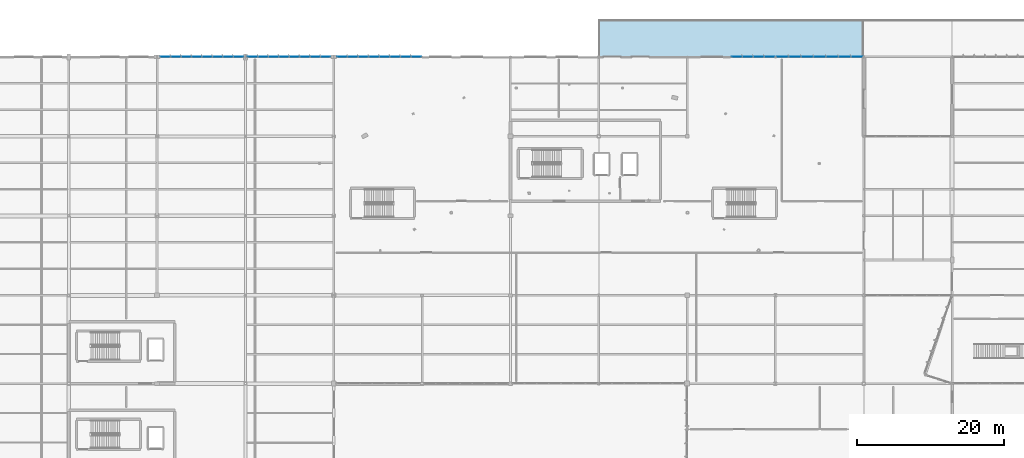
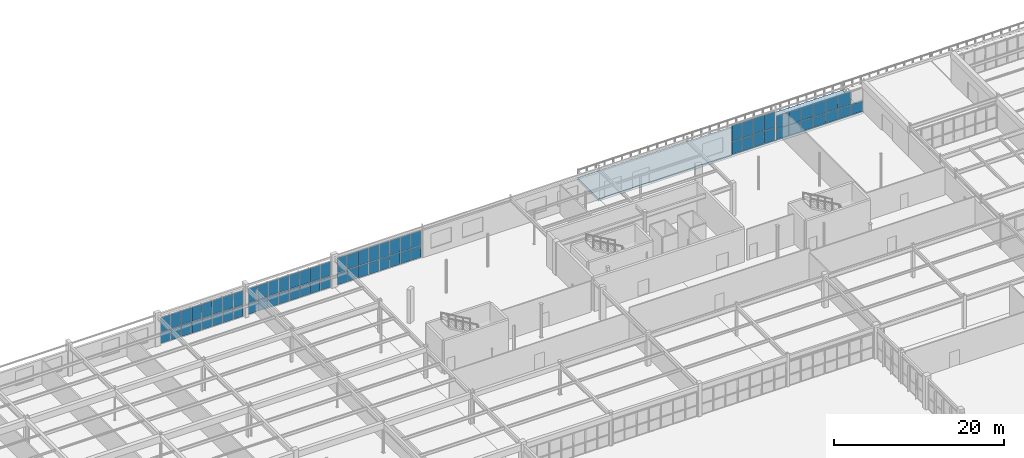
# One storey, part 128 of 199: 69 plates, 1 slab, 5 elements without a shape of their own.
"""IFC4 building model written with IfcOpenShell, lengths in metres."""

from ifc_helpers import new_model, si_unit, direction, frame, origin, origin_2d, place, context, subcontext, project, spatial, polyline, rectangle, outline, extrude, material, layer, layer_set, type_object, element, aggregate, save


model = new_model("IFC4")

# Units and contexts
model_context = context("Model", 3, precision=1e-05, world=origin(), true_north=direction((0.0, 1.0)))
body_context = subcontext(model_context, "Body", "Model", "MODEL_VIEW")
ifc_project = project(units=[si_unit("LENGTHUNIT", "METRE"), si_unit("AREAUNIT", "SQUARE_METRE"), si_unit("VOLUMEUNIT", "CUBIC_METRE"), si_unit("PLANEANGLEUNIT", "RADIAN"), si_unit("MASSUNIT", "GRAM", prefix="KILO")], contexts=[model_context])

# Site, building, storey
site_placement = place(None, origin())
site = spatial("IfcSite", under=ifc_project, at=site_placement, CompositionType="ELEMENT")
building_placement = place(site_placement, origin())
building = spatial("IfcBuilding", under=site, at=building_placement, Name="Tarnwether General Hospital", CompositionType="ELEMENT")
storey_placement = place(building_placement, origin())
storey = spatial("IfcBuildingStorey", under=building, at=storey_placement, Name="L00", CompositionType="ELEMENT", Elevation=0.0)

# Curtain wall, plates
ifc_material_1 = material(Name="Anodised aluminium", Category="aluminium")
ifc_layer_1 = layer(ifc_material_1, 0.159912109375)
ifc_layer_set_1 = layer_set([ifc_layer_1], Name="Anodised aluminium")
curtain_wall_type_1 = type_object("IfcCurtainWallType", Name="CW-12", PredefinedType="NOTDEFINED", material=ifc_layer_set_1)
curtain_wall_1_placement = place(storey_placement, origin())
curtain_wall_1 = element("IfcCurtainWall", 1, at=curtain_wall_1_placement, inside=storey, type_object=curtain_wall_type_1, Name="Curtain Wall CWG-L00-364_1260-0273", PredefinedType="NOTDEFINED")
ifc_material_2 = material(Name="Double glazed low-E glass", Category="glass")
ifc_layer_2 = layer(ifc_material_2, 0.028076171875)
ifc_layer_set_2 = layer_set([ifc_layer_2], Name="Double glazed low-E glass")
plate_type = type_object("IfcPlateType", Name="PT-CWP1", PredefinedType="CURTAIN_PANEL", material=ifc_layer_set_2)
plate_1_placement = place(storey_placement, frame((37.13134765625, 126.0, 0.06005859375), z_axis=(0.0, 0.0, 1.0), x_axis=(1.0, 0.0, 0.0)))
plate_1 = element("IfcPlate", 2, at=plate_1_placement, type_object=plate_type, Name="CW-12 panel 1.1", PredefinedType="CURTAIN_PANEL", context=body_context, shape_type="SweptSolid", body=[
    extrude(rectangle(XDim=1.32666015625, YDim=0.028076171875, at=origin_2d()), origin(), (0.0, 0.0, 1.0), 1.63037109375),
])
plate_2_placement = place(storey_placement, frame((37.13134765625, 126.0, 1.750244140625), z_axis=(0.0, 0.0, 1.0), x_axis=(1.0, 0.0, 0.0)))
plate_2 = element("IfcPlate", 3, at=plate_2_placement, type_object=plate_type, Name="CW-12 panel 1.2", PredefinedType="CURTAIN_PANEL", context=body_context, shape_type="SweptSolid", body=[
    extrude(rectangle(XDim=1.32666015625, YDim=0.028076171875, at=origin_2d()), origin(), (0.0, 0.0, 1.0), 2.0126953125),
])
plate_3_placement = place(storey_placement, frame((38.533203125, 126.0, 0.06005859375), z_axis=(0.0, 0.0, 1.0), x_axis=(1.0, 0.0, 0.0)))
plate_3 = element("IfcPlate", 4, at=plate_3_placement, type_object=plate_type, Name="CW-12 panel 2.1", PredefinedType="CURTAIN_PANEL", context=body_context, shape_type="SweptSolid", body=[
    extrude(rectangle(XDim=1.356689453125, YDim=0.028076171875, at=origin_2d()), origin(), (0.0, 0.0, 1.0), 1.63037109375),
])
plate_4_placement = place(storey_placement, frame((38.533203125, 126.0, 1.750244140625), z_axis=(0.0, 0.0, 1.0), x_axis=(1.0, 0.0, 0.0)))
plate_4 = element("IfcPlate", 5, at=plate_4_placement, type_object=plate_type, Name="CW-12 panel 2.2", PredefinedType="CURTAIN_PANEL", context=body_context, shape_type="SweptSolid", body=[
    extrude(rectangle(XDim=1.356689453125, YDim=0.028076171875, at=origin_2d()), origin(), (0.0, 0.0, 1.0), 2.0126953125),
])
plate_5_placement = place(storey_placement, frame((39.949951171875, 126.0, 0.06005859375), z_axis=(0.0, 0.0, 1.0), x_axis=(1.0, 0.0, 0.0)))
plate_5 = element("IfcPlate", 6, at=plate_5_placement, type_object=plate_type, Name="CW-12 panel 3.1", PredefinedType="CURTAIN_PANEL", context=body_context, shape_type="SweptSolid", body=[
    extrude(rectangle(XDim=1.356689453125, YDim=0.028076171875, at=origin_2d()), origin(), (0.0, 0.0, 1.0), 1.63037109375),
])
plate_6_placement = place(storey_placement, frame((39.949951171875, 126.0, 1.750244140625), z_axis=(0.0, 0.0, 1.0), x_axis=(1.0, 0.0, 0.0)))
plate_6 = element("IfcPlate", 7, at=plate_6_placement, type_object=plate_type, Name="CW-12 panel 3.2", PredefinedType="CURTAIN_PANEL", context=body_context, shape_type="SweptSolid", body=[
    extrude(rectangle(XDim=1.356689453125, YDim=0.028076171875, at=origin_2d()), origin(), (0.0, 0.0, 1.0), 2.0126953125),
])
plate_7_placement = place(storey_placement, frame((41.36669921875, 126.0, 0.06005859375), z_axis=(0.0, 0.0, 1.0), x_axis=(1.0, 0.0, 0.0)))
plate_7 = element("IfcPlate", 8, at=plate_7_placement, type_object=plate_type, Name="CW-12 panel 4.1", PredefinedType="CURTAIN_PANEL", context=body_context, shape_type="SweptSolid", body=[
    extrude(rectangle(XDim=1.356689453125, YDim=0.028076171875, at=origin_2d()), origin(), (0.0, 0.0, 1.0), 1.63037109375),
])
plate_8_placement = place(storey_placement, frame((41.36669921875, 126.0, 1.750244140625), z_axis=(0.0, 0.0, 1.0), x_axis=(1.0, 0.0, 0.0)))
plate_8 = element("IfcPlate", 9, at=plate_8_placement, type_object=plate_type, Name="CW-12 panel 4.2", PredefinedType="CURTAIN_PANEL", context=body_context, shape_type="SweptSolid", body=[
    extrude(rectangle(XDim=1.356689453125, YDim=0.028076171875, at=origin_2d()), origin(), (0.0, 0.0, 1.0), 2.0126953125),
])
plate_9_placement = place(storey_placement, frame((42.783447265625, 126.0, 0.06005859375), z_axis=(0.0, 0.0, 1.0), x_axis=(1.0, 0.0, 0.0)))
plate_9 = element("IfcPlate", 10, at=plate_9_placement, type_object=plate_type, Name="CW-12 panel 5.1", PredefinedType="CURTAIN_PANEL", context=body_context, shape_type="SweptSolid", body=[
    extrude(rectangle(XDim=1.356689453125, YDim=0.028076171875, at=origin_2d()), origin(), (0.0, 0.0, 1.0), 1.63037109375),
])
plate_10_placement = place(storey_placement, frame((42.783447265625, 126.0, 1.750244140625), z_axis=(0.0, 0.0, 1.0), x_axis=(1.0, 0.0, 0.0)))
plate_10 = element("IfcPlate", 11, at=plate_10_placement, type_object=plate_type, Name="CW-12 panel 5.2", PredefinedType="CURTAIN_PANEL", context=body_context, shape_type="SweptSolid", body=[
    extrude(rectangle(XDim=1.356689453125, YDim=0.028076171875, at=origin_2d()), origin(), (0.0, 0.0, 1.0), 2.0126953125),
])
plate_11_placement = place(storey_placement, frame((44.2001953125, 126.0, 0.06005859375), z_axis=(0.0, 0.0, 1.0), x_axis=(1.0, 0.0, 0.0)))
plate_11 = element("IfcPlate", 12, at=plate_11_placement, type_object=plate_type, Name="CW-12 panel 6.1", PredefinedType="CURTAIN_PANEL", context=body_context, shape_type="SweptSolid", body=[
    extrude(rectangle(XDim=1.356689453125, YDim=0.028076171875, at=origin_2d()), origin(), (0.0, 0.0, 1.0), 1.63037109375),
])
plate_12_placement = place(storey_placement, frame((44.2001953125, 126.0, 1.750244140625), z_axis=(0.0, 0.0, 1.0), x_axis=(1.0, 0.0, 0.0)))
plate_12 = element("IfcPlate", 13, at=plate_12_placement, type_object=plate_type, Name="CW-12 panel 6.2", PredefinedType="CURTAIN_PANEL", context=body_context, shape_type="SweptSolid", body=[
    extrude(rectangle(XDim=1.356689453125, YDim=0.028076171875, at=origin_2d()), origin(), (0.0, 0.0, 1.0), 2.0126953125),
])
plate_13_placement = place(storey_placement, frame((45.616943359375, 126.0, 0.06005859375), z_axis=(0.0, 0.0, 1.0), x_axis=(1.0, 0.0, 0.0)))
plate_13 = element("IfcPlate", 14, at=plate_13_placement, type_object=plate_type, Name="CW-12 panel 7.1", PredefinedType="CURTAIN_PANEL", context=body_context, shape_type="SweptSolid", body=[
    extrude(rectangle(XDim=1.356689453125, YDim=0.028076171875, at=origin_2d()), origin(), (0.0, 0.0, 1.0), 1.63037109375),
])
plate_14_placement = place(storey_placement, frame((45.616943359375, 126.0, 1.750244140625), z_axis=(0.0, 0.0, 1.0), x_axis=(1.0, 0.0, 0.0)))
plate_14 = element("IfcPlate", 15, at=plate_14_placement, type_object=plate_type, Name="CW-12 panel 7.2", PredefinedType="CURTAIN_PANEL", context=body_context, shape_type="SweptSolid", body=[
    extrude(rectangle(XDim=1.356689453125, YDim=0.028076171875, at=origin_2d()), origin(), (0.0, 0.0, 1.0), 2.0126953125),
])
plate_15_placement = place(storey_placement, frame((47.0185546875, 126.0, 0.06005859375), z_axis=(0.0, 0.0, 1.0), x_axis=(1.0, 0.0, 0.0)))
plate_15 = element("IfcPlate", 16, at=plate_15_placement, type_object=plate_type, Name="CW-12 panel 8.1", PredefinedType="CURTAIN_PANEL", context=body_context, shape_type="SweptSolid", body=[
    extrude(rectangle(XDim=1.32666015625, YDim=0.028076171875, at=origin_2d()), origin(), (0.0, 0.0, 1.0), 1.63037109375),
])
plate_16_placement = place(storey_placement, frame((47.0185546875, 126.0, 1.750244140625), z_axis=(0.0, 0.0, 1.0), x_axis=(1.0, 0.0, 0.0)))
plate_16 = element("IfcPlate", 17, at=plate_16_placement, type_object=plate_type, Name="CW-12 panel 8.2", PredefinedType="CURTAIN_PANEL", context=body_context, shape_type="SweptSolid", body=[
    extrude(rectangle(XDim=1.32666015625, YDim=0.028076171875, at=origin_2d()), origin(), (0.0, 0.0, 1.0), 2.0126953125),
])
aggregate(curtain_wall_1, [plate_1, plate_2, plate_3, plate_4, plate_5, plate_6, plate_7, plate_8, plate_9, plate_10, plate_11, plate_12, plate_13, plate_14, plate_15, plate_16])

curtain_wall_2_placement = place(storey_placement, origin())
curtain_wall_2 = element("IfcCurtainWall", 18, at=curtain_wall_2_placement, inside=storey, type_object=curtain_wall_type_1, Name="Curtain Wall CWG-L00-483_1260-0274", PredefinedType="NOTDEFINED")
plate_17_placement = place(storey_placement, frame((48.9814453125, 126.0, 0.06005859375), z_axis=(0.0, 0.0, 1.0), x_axis=(1.0, 0.0, 0.0)))
plate_17 = element("IfcPlate", 19, at=plate_17_placement, type_object=plate_type, Name="CW-12 panel 1.1", PredefinedType="CURTAIN_PANEL", context=body_context, shape_type="SweptSolid", body=[
    extrude(rectangle(XDim=1.32666015625, YDim=0.028076171875, at=origin_2d()), origin(), (0.0, 0.0, 1.0), 1.63037109375),
])
plate_18_placement = place(storey_placement, frame((48.9814453125, 126.0, 1.750244140625), z_axis=(0.0, 0.0, 1.0), x_axis=(1.0, 0.0, 0.0)))
plate_18 = element("IfcPlate", 20, at=plate_18_placement, type_object=plate_type, Name="CW-12 panel 1.2", PredefinedType="CURTAIN_PANEL", context=body_context, shape_type="SweptSolid", body=[
    extrude(rectangle(XDim=1.32666015625, YDim=0.028076171875, at=origin_2d()), origin(), (0.0, 0.0, 1.0), 2.0126953125),
])
plate_19_placement = place(storey_placement, frame((50.383056640625, 126.0, 0.06005859375), z_axis=(0.0, 0.0, 1.0), x_axis=(1.0, 0.0, 0.0)))
plate_19 = element("IfcPlate", 21, at=plate_19_placement, type_object=plate_type, Name="CW-12 panel 2.1", PredefinedType="CURTAIN_PANEL", context=body_context, shape_type="SweptSolid", body=[
    extrude(rectangle(XDim=1.356689453125, YDim=0.028076171875, at=origin_2d()), origin(), (0.0, 0.0, 1.0), 1.63037109375),
])
plate_20_placement = place(storey_placement, frame((50.383056640625, 126.0, 1.750244140625), z_axis=(0.0, 0.0, 1.0), x_axis=(1.0, 0.0, 0.0)))
plate_20 = element("IfcPlate", 22, at=plate_20_placement, type_object=plate_type, Name="CW-12 panel 2.2", PredefinedType="CURTAIN_PANEL", context=body_context, shape_type="SweptSolid", body=[
    extrude(rectangle(XDim=1.356689453125, YDim=0.028076171875, at=origin_2d()), origin(), (0.0, 0.0, 1.0), 2.0126953125),
])
plate_21_placement = place(storey_placement, frame((51.7998046875, 126.0, 0.06005859375), z_axis=(0.0, 0.0, 1.0), x_axis=(1.0, 0.0, 0.0)))
plate_21 = element("IfcPlate", 23, at=plate_21_placement, type_object=plate_type, Name="CW-12 panel 3.1", PredefinedType="CURTAIN_PANEL", context=body_context, shape_type="SweptSolid", body=[
    extrude(rectangle(XDim=1.356689453125, YDim=0.028076171875, at=origin_2d()), origin(), (0.0, 0.0, 1.0), 1.63037109375),
])
plate_22_placement = place(storey_placement, frame((51.7998046875, 126.0, 1.750244140625), z_axis=(0.0, 0.0, 1.0), x_axis=(1.0, 0.0, 0.0)))
plate_22 = element("IfcPlate", 24, at=plate_22_placement, type_object=plate_type, Name="CW-12 panel 3.2", PredefinedType="CURTAIN_PANEL", context=body_context, shape_type="SweptSolid", body=[
    extrude(rectangle(XDim=1.356689453125, YDim=0.028076171875, at=origin_2d()), origin(), (0.0, 0.0, 1.0), 2.0126953125),
])
plate_23_placement = place(storey_placement, frame((53.216552734375, 126.0, 0.06005859375), z_axis=(0.0, 0.0, 1.0), x_axis=(1.0, 0.0, 0.0)))
plate_23 = element("IfcPlate", 25, at=plate_23_placement, type_object=plate_type, Name="CW-12 panel 4.1", PredefinedType="CURTAIN_PANEL", context=body_context, shape_type="SweptSolid", body=[
    extrude(rectangle(XDim=1.356689453125, YDim=0.028076171875, at=origin_2d()), origin(), (0.0, 0.0, 1.0), 1.63037109375),
])
plate_24_placement = place(storey_placement, frame((53.216552734375, 126.0, 1.750244140625), z_axis=(0.0, 0.0, 1.0), x_axis=(1.0, 0.0, 0.0)))
plate_24 = element("IfcPlate", 26, at=plate_24_placement, type_object=plate_type, Name="CW-12 panel 4.2", PredefinedType="CURTAIN_PANEL", context=body_context, shape_type="SweptSolid", body=[
    extrude(rectangle(XDim=1.356689453125, YDim=0.028076171875, at=origin_2d()), origin(), (0.0, 0.0, 1.0), 2.0126953125),
])
plate_25_placement = place(storey_placement, frame((54.63330078125, 126.0, 0.06005859375), z_axis=(0.0, 0.0, 1.0), x_axis=(1.0, 0.0, 0.0)))
plate_25 = element("IfcPlate", 27, at=plate_25_placement, type_object=plate_type, Name="CW-12 panel 5.1", PredefinedType="CURTAIN_PANEL", context=body_context, shape_type="SweptSolid", body=[
    extrude(rectangle(XDim=1.356689453125, YDim=0.028076171875, at=origin_2d()), origin(), (0.0, 0.0, 1.0), 1.63037109375),
])
plate_26_placement = place(storey_placement, frame((54.63330078125, 126.0, 1.750244140625), z_axis=(0.0, 0.0, 1.0), x_axis=(1.0, 0.0, 0.0)))
plate_26 = element("IfcPlate", 28, at=plate_26_placement, type_object=plate_type, Name="CW-12 panel 5.2", PredefinedType="CURTAIN_PANEL", context=body_context, shape_type="SweptSolid", body=[
    extrude(rectangle(XDim=1.356689453125, YDim=0.028076171875, at=origin_2d()), origin(), (0.0, 0.0, 1.0), 2.0126953125),
])
plate_27_placement = place(storey_placement, frame((56.050048828125, 126.0, 0.06005859375), z_axis=(0.0, 0.0, 1.0), x_axis=(1.0, 0.0, 0.0)))
plate_27 = element("IfcPlate", 29, at=plate_27_placement, type_object=plate_type, Name="CW-12 panel 6.1", PredefinedType="CURTAIN_PANEL", context=body_context, shape_type="SweptSolid", body=[
    extrude(rectangle(XDim=1.356689453125, YDim=0.028076171875, at=origin_2d()), origin(), (0.0, 0.0, 1.0), 1.63037109375),
])
plate_28_placement = place(storey_placement, frame((56.050048828125, 126.0, 1.750244140625), z_axis=(0.0, 0.0, 1.0), x_axis=(1.0, 0.0, 0.0)))
plate_28 = element("IfcPlate", 30, at=plate_28_placement, type_object=plate_type, Name="CW-12 panel 6.2", PredefinedType="CURTAIN_PANEL", context=body_context, shape_type="SweptSolid", body=[
    extrude(rectangle(XDim=1.356689453125, YDim=0.028076171875, at=origin_2d()), origin(), (0.0, 0.0, 1.0), 2.0126953125),
])
plate_29_placement = place(storey_placement, frame((57.466796875, 126.0, 0.06005859375), z_axis=(0.0, 0.0, 1.0), x_axis=(1.0, 0.0, 0.0)))
plate_29 = element("IfcPlate", 31, at=plate_29_placement, type_object=plate_type, Name="CW-12 panel 7.1", PredefinedType="CURTAIN_PANEL", context=body_context, shape_type="SweptSolid", body=[
    extrude(rectangle(XDim=1.356689453125, YDim=0.028076171875, at=origin_2d()), origin(), (0.0, 0.0, 1.0), 1.63037109375),
])
plate_30_placement = place(storey_placement, frame((57.466796875, 126.0, 1.750244140625), z_axis=(0.0, 0.0, 1.0), x_axis=(1.0, 0.0, 0.0)))
plate_30 = element("IfcPlate", 32, at=plate_30_placement, type_object=plate_type, Name="CW-12 panel 7.2", PredefinedType="CURTAIN_PANEL", context=body_context, shape_type="SweptSolid", body=[
    extrude(rectangle(XDim=1.356689453125, YDim=0.028076171875, at=origin_2d()), origin(), (0.0, 0.0, 1.0), 2.0126953125),
])
plate_31_placement = place(storey_placement, frame((58.86865234375, 126.0, 0.06005859375), z_axis=(0.0, 0.0, 1.0), x_axis=(1.0, 0.0, 0.0)))
plate_31 = element("IfcPlate", 33, at=plate_31_placement, type_object=plate_type, Name="CW-12 panel 8.1", PredefinedType="CURTAIN_PANEL", context=body_context, shape_type="SweptSolid", body=[
    extrude(rectangle(XDim=1.32666015625, YDim=0.028076171875, at=origin_2d()), origin(), (0.0, 0.0, 1.0), 1.63037109375),
])
plate_32_placement = place(storey_placement, frame((58.86865234375, 126.0, 1.750244140625), z_axis=(0.0, 0.0, 1.0), x_axis=(1.0, 0.0, 0.0)))
plate_32 = element("IfcPlate", 34, at=plate_32_placement, type_object=plate_type, Name="CW-12 panel 8.2", PredefinedType="CURTAIN_PANEL", context=body_context, shape_type="SweptSolid", body=[
    extrude(rectangle(XDim=1.32666015625, YDim=0.028076171875, at=origin_2d()), origin(), (0.0, 0.0, 1.0), 2.0126953125),
])
aggregate(curtain_wall_2, [plate_17, plate_18, plate_19, plate_20, plate_21, plate_22, plate_23, plate_24, plate_25, plate_26, plate_27, plate_28, plate_29, plate_30, plate_31, plate_32])

curtain_wall_3_placement = place(storey_placement, origin())
curtain_wall_3 = element("IfcCurtainWall", 35, at=curtain_wall_3_placement, inside=storey, type_object=curtain_wall_type_1, Name="Curtain Wall CWG-L00-604_1260-0275", PredefinedType="NOTDEFINED")
plate_33_placement = place(storey_placement, frame((61.142333984375, 126.0, 0.06005859375), z_axis=(0.0, 0.0, 1.0), x_axis=(1.0, 0.0, 0.0)))
plate_33 = element("IfcPlate", 36, at=plate_33_placement, type_object=plate_type, Name="CW-12 panel 1.1", PredefinedType="CURTAIN_PANEL", context=body_context, shape_type="SweptSolid", body=[
    extrude(rectangle(XDim=1.348388671875, YDim=0.028076171875, at=origin_2d()), origin(), (0.0, 0.0, 1.0), 1.69921875),
])
plate_34_placement = place(storey_placement, frame((61.142333984375, 126.0, 1.8193359375), z_axis=(0.0, 0.0, 1.0), x_axis=(1.0, 0.0, 0.0)))
plate_34 = element("IfcPlate", 37, at=plate_34_placement, type_object=plate_type, Name="CW-12 panel 1.2", PredefinedType="CURTAIN_PANEL", context=body_context, shape_type="SweptSolid", body=[
    extrude(rectangle(XDim=1.348388671875, YDim=0.028076171875, at=origin_2d()), origin(), (0.0, 0.0, 1.0), 2.0966796875),
])
plate_35_placement = place(storey_placement, frame((62.565673828125, 126.0, 0.06005859375), z_axis=(0.0, 0.0, 1.0), x_axis=(1.0, 0.0, 0.0)))
plate_35 = element("IfcPlate", 38, at=plate_35_placement, type_object=plate_type, Name="CW-12 panel 2.1", PredefinedType="CURTAIN_PANEL", context=body_context, shape_type="SweptSolid", body=[
    extrude(rectangle(XDim=1.37841796875, YDim=0.028076171875, at=origin_2d()), origin(), (0.0, 0.0, 1.0), 1.69921875),
])
plate_36_placement = place(storey_placement, frame((62.565673828125, 126.0, 1.8193359375), z_axis=(0.0, 0.0, 1.0), x_axis=(1.0, 0.0, 0.0)))
plate_36 = element("IfcPlate", 39, at=plate_36_placement, type_object=plate_type, Name="CW-12 panel 2.2", PredefinedType="CURTAIN_PANEL", context=body_context, shape_type="SweptSolid", body=[
    extrude(rectangle(XDim=1.37841796875, YDim=0.028076171875, at=origin_2d()), origin(), (0.0, 0.0, 1.0), 2.0966796875),
])
plate_37_placement = place(storey_placement, frame((64.004150390625, 126.0, 0.06005859375), z_axis=(0.0, 0.0, 1.0), x_axis=(1.0, 0.0, 0.0)))
plate_37 = element("IfcPlate", 40, at=plate_37_placement, type_object=plate_type, Name="CW-12 panel 3.1", PredefinedType="CURTAIN_PANEL", context=body_context, shape_type="SweptSolid", body=[
    extrude(rectangle(XDim=1.37841796875, YDim=0.028076171875, at=origin_2d()), origin(), (0.0, 0.0, 1.0), 1.69921875),
])
plate_38_placement = place(storey_placement, frame((64.004150390625, 126.0, 1.8193359375), z_axis=(0.0, 0.0, 1.0), x_axis=(1.0, 0.0, 0.0)))
plate_38 = element("IfcPlate", 41, at=plate_38_placement, type_object=plate_type, Name="CW-12 panel 3.2", PredefinedType="CURTAIN_PANEL", context=body_context, shape_type="SweptSolid", body=[
    extrude(rectangle(XDim=1.37841796875, YDim=0.028076171875, at=origin_2d()), origin(), (0.0, 0.0, 1.0), 2.0966796875),
])
plate_39_placement = place(storey_placement, frame((65.44287109375, 126.0, 0.06005859375), z_axis=(0.0, 0.0, 1.0), x_axis=(1.0, 0.0, 0.0)))
plate_39 = element("IfcPlate", 42, at=plate_39_placement, type_object=plate_type, Name="CW-12 panel 4.1", PredefinedType="CURTAIN_PANEL", context=body_context, shape_type="SweptSolid", body=[
    extrude(rectangle(XDim=1.37841796875, YDim=0.028076171875, at=origin_2d()), origin(), (0.0, 0.0, 1.0), 1.69921875),
])
plate_40_placement = place(storey_placement, frame((65.44287109375, 126.0, 1.8193359375), z_axis=(0.0, 0.0, 1.0), x_axis=(1.0, 0.0, 0.0)))
plate_40 = element("IfcPlate", 43, at=plate_40_placement, type_object=plate_type, Name="CW-12 panel 4.2", PredefinedType="CURTAIN_PANEL", context=body_context, shape_type="SweptSolid", body=[
    extrude(rectangle(XDim=1.37841796875, YDim=0.028076171875, at=origin_2d()), origin(), (0.0, 0.0, 1.0), 2.0966796875),
])
plate_41_placement = place(storey_placement, frame((66.88134765625, 126.0, 0.06005859375), z_axis=(0.0, 0.0, 1.0), x_axis=(1.0, 0.0, 0.0)))
plate_41 = element("IfcPlate", 44, at=plate_41_placement, type_object=plate_type, Name="CW-12 panel 5.1", PredefinedType="CURTAIN_PANEL", context=body_context, shape_type="SweptSolid", body=[
    extrude(rectangle(XDim=1.37841796875, YDim=0.028076171875, at=origin_2d()), origin(), (0.0, 0.0, 1.0), 1.69921875),
])
plate_42_placement = place(storey_placement, frame((66.88134765625, 126.0, 1.8193359375), z_axis=(0.0, 0.0, 1.0), x_axis=(1.0, 0.0, 0.0)))
plate_42 = element("IfcPlate", 45, at=plate_42_placement, type_object=plate_type, Name="CW-12 panel 5.2", PredefinedType="CURTAIN_PANEL", context=body_context, shape_type="SweptSolid", body=[
    extrude(rectangle(XDim=1.37841796875, YDim=0.028076171875, at=origin_2d()), origin(), (0.0, 0.0, 1.0), 2.0966796875),
])
plate_43_placement = place(storey_placement, frame((68.31982421875, 126.0, 0.06005859375), z_axis=(0.0, 0.0, 1.0), x_axis=(1.0, 0.0, 0.0)))
plate_43 = element("IfcPlate", 46, at=plate_43_placement, type_object=plate_type, Name="CW-12 panel 6.1", PredefinedType="CURTAIN_PANEL", context=body_context, shape_type="SweptSolid", body=[
    extrude(rectangle(XDim=1.37841796875, YDim=0.028076171875, at=origin_2d()), origin(), (0.0, 0.0, 1.0), 1.69921875),
])
plate_44_placement = place(storey_placement, frame((68.31982421875, 126.0, 1.8193359375), z_axis=(0.0, 0.0, 1.0), x_axis=(1.0, 0.0, 0.0)))
plate_44 = element("IfcPlate", 47, at=plate_44_placement, type_object=plate_type, Name="CW-12 panel 6.2", PredefinedType="CURTAIN_PANEL", context=body_context, shape_type="SweptSolid", body=[
    extrude(rectangle(XDim=1.37841796875, YDim=0.028076171875, at=origin_2d()), origin(), (0.0, 0.0, 1.0), 2.0966796875),
])
plate_45_placement = place(storey_placement, frame((69.75830078125, 126.0, 0.06005859375), z_axis=(0.0, 0.0, 1.0), x_axis=(1.0, 0.0, 0.0)))
plate_45 = element("IfcPlate", 48, at=plate_45_placement, type_object=plate_type, Name="CW-12 panel 7.1", PredefinedType="CURTAIN_PANEL", context=body_context, shape_type="SweptSolid", body=[
    extrude(rectangle(XDim=1.37841796875, YDim=0.028076171875, at=origin_2d()), origin(), (0.0, 0.0, 1.0), 1.69921875),
])
plate_46_placement = place(storey_placement, frame((69.75830078125, 126.0, 1.8193359375), z_axis=(0.0, 0.0, 1.0), x_axis=(1.0, 0.0, 0.0)))
plate_46 = element("IfcPlate", 49, at=plate_46_placement, type_object=plate_type, Name="CW-12 panel 7.2", PredefinedType="CURTAIN_PANEL", context=body_context, shape_type="SweptSolid", body=[
    extrude(rectangle(XDim=1.37841796875, YDim=0.028076171875, at=origin_2d()), origin(), (0.0, 0.0, 1.0), 2.0966796875),
])
plate_47_placement = place(storey_placement, frame((71.181640625, 126.0, 0.06005859375), z_axis=(0.0, 0.0, 1.0), x_axis=(1.0, 0.0, 0.0)))
plate_47 = element("IfcPlate", 50, at=plate_47_placement, type_object=plate_type, Name="CW-12 panel 8.1", PredefinedType="CURTAIN_PANEL", context=body_context, shape_type="SweptSolid", body=[
    extrude(rectangle(XDim=1.348388671875, YDim=0.028076171875, at=origin_2d()), origin(), (0.0, 0.0, 1.0), 1.69921875),
])
plate_48_placement = place(storey_placement, frame((71.181640625, 126.0, 1.8193359375), z_axis=(0.0, 0.0, 1.0), x_axis=(1.0, 0.0, 0.0)))
plate_48 = element("IfcPlate", 51, at=plate_48_placement, type_object=plate_type, Name="CW-12 panel 8.2", PredefinedType="CURTAIN_PANEL", context=body_context, shape_type="SweptSolid", body=[
    extrude(rectangle(XDim=1.348388671875, YDim=0.028076171875, at=origin_2d()), origin(), (0.0, 0.0, 1.0), 2.0966796875),
])
aggregate(curtain_wall_3, [plate_33, plate_34, plate_35, plate_36, plate_37, plate_38, plate_39, plate_40, plate_41, plate_42, plate_43, plate_44, plate_45, plate_46, plate_47, plate_48])

ifc_material_3 = material(Name="Anodised aluminium", Category="aluminium")
ifc_layer_3 = layer(ifc_material_3, 0.159912109375)
ifc_layer_set_3 = layer_set([ifc_layer_3], Name="Anodised aluminium")
curtain_wall_type_2 = type_object("IfcCurtainWallType", Name="CW-14", PredefinedType="NOTDEFINED", material=ifc_layer_set_3)
curtain_wall_4_placement = place(storey_placement, origin())
curtain_wall_4 = element("IfcCurtainWall", 52, at=curtain_wall_4_placement, inside=storey, type_object=curtain_wall_type_2, Name="Curtain Wall CWG-L00-1140_1260-0276", PredefinedType="NOTDEFINED")
plate_49_placement = place(storey_placement, frame((114.754638671875, 126.0, 0.06005859375), z_axis=(0.0, 0.0, 1.0), x_axis=(1.0, 0.0, 0.0)))
plate_49 = element("IfcPlate", 53, at=plate_49_placement, type_object=plate_type, Name="CW-14 panel 1.1", PredefinedType="CURTAIN_PANEL", context=body_context, shape_type="SweptSolid", body=[
    extrude(rectangle(XDim=1.38916015625, YDim=0.028076171875, at=origin_2d()), origin(), (0.0, 0.0, 1.0), 1.812255859375),
])
plate_50_placement = place(storey_placement, frame((114.754638671875, 126.0, 1.93212890625), z_axis=(0.0, 0.0, 1.0), x_axis=(1.0, 0.0, 0.0)))
plate_50 = element("IfcPlate", 54, at=plate_50_placement, type_object=plate_type, Name="CW-14 panel 1.2", PredefinedType="CURTAIN_PANEL", context=body_context, shape_type="SweptSolid", body=[
    extrude(rectangle(XDim=1.38916015625, YDim=0.028076171875, at=origin_2d()), origin(), (0.0, 0.0, 1.0), 2.23486328125),
])
plate_51_placement = place(storey_placement, frame((116.218994140625, 126.0, 0.06005859375), z_axis=(0.0, 0.0, 1.0), x_axis=(1.0, 0.0, 0.0)))
plate_51 = element("IfcPlate", 55, at=plate_51_placement, type_object=plate_type, Name="CW-14 panel 2.1", PredefinedType="CURTAIN_PANEL", context=body_context, shape_type="SweptSolid", body=[
    extrude(rectangle(XDim=1.419189453125, YDim=0.028076171875, at=origin_2d()), origin(), (0.0, 0.0, 1.0), 1.812255859375),
])
plate_52_placement = place(storey_placement, frame((116.218994140625, 126.0, 1.93212890625), z_axis=(0.0, 0.0, 1.0), x_axis=(1.0, 0.0, 0.0)))
plate_52 = element("IfcPlate", 56, at=plate_52_placement, type_object=plate_type, Name="CW-14 panel 2.2", PredefinedType="CURTAIN_PANEL", context=body_context, shape_type="SweptSolid", body=[
    extrude(rectangle(XDim=1.419189453125, YDim=0.028076171875, at=origin_2d()), origin(), (0.0, 0.0, 1.0), 2.23486328125),
])
plate_53_placement = place(storey_placement, frame((117.6982421875, 126.0, 0.06005859375), z_axis=(0.0, 0.0, 1.0), x_axis=(1.0, 0.0, 0.0)))
plate_53 = element("IfcPlate", 57, at=plate_53_placement, type_object=plate_type, Name="CW-14 panel 3.1", PredefinedType="CURTAIN_PANEL", context=body_context, shape_type="SweptSolid", body=[
    extrude(rectangle(XDim=1.419189453125, YDim=0.028076171875, at=origin_2d()), origin(), (0.0, 0.0, 1.0), 1.812255859375),
])
plate_54_placement = place(storey_placement, frame((117.6982421875, 126.0, 1.93212890625), z_axis=(0.0, 0.0, 1.0), x_axis=(1.0, 0.0, 0.0)))
plate_54 = element("IfcPlate", 58, at=plate_54_placement, type_object=plate_type, Name="CW-14 panel 3.2", PredefinedType="CURTAIN_PANEL", context=body_context, shape_type="SweptSolid", body=[
    extrude(rectangle(XDim=1.419189453125, YDim=0.028076171875, at=origin_2d()), origin(), (0.0, 0.0, 1.0), 2.23486328125),
])
plate_55_placement = place(storey_placement, frame((119.162353515625, 126.0, 0.06005859375), z_axis=(0.0, 0.0, 1.0), x_axis=(1.0, 0.0, 0.0)))
plate_55 = element("IfcPlate", 59, at=plate_55_placement, type_object=plate_type, Name="CW-14 panel 4.1", PredefinedType="CURTAIN_PANEL", context=body_context, shape_type="SweptSolid", body=[
    extrude(rectangle(XDim=1.38916015625, YDim=0.028076171875, at=origin_2d()), origin(), (0.0, 0.0, 1.0), 1.812255859375),
])
plate_56_placement = place(storey_placement, frame((119.162353515625, 126.0, 1.93212890625), z_axis=(0.0, 0.0, 1.0), x_axis=(1.0, 0.0, 0.0)))
plate_56 = element("IfcPlate", 60, at=plate_56_placement, type_object=plate_type, Name="CW-14 panel 4.2", PredefinedType="CURTAIN_PANEL", context=body_context, shape_type="SweptSolid", body=[
    extrude(rectangle(XDim=1.38916015625, YDim=0.028076171875, at=origin_2d()), origin(), (0.0, 0.0, 1.0), 2.23486328125),
])
aggregate(curtain_wall_4, [plate_49, plate_50, plate_51, plate_52, plate_53, plate_54, plate_55, plate_56])

curtain_wall_5_placement = place(storey_placement, origin())
curtain_wall_5 = element("IfcCurtainWall", 61, at=curtain_wall_5_placement, inside=storey, type_object=curtain_wall_type_2, Name="Curtain Wall CWG-L00-1201_1260-0277", PredefinedType="NOTDEFINED")
plate_57_placement = place(storey_placement, frame((120.943115234375, 126.0, 0.06005859375), z_axis=(0.0, 0.0, 1.0), x_axis=(1.0, 0.0, 0.0)))
plate_57 = element("IfcPlate", 62, at=plate_57_placement, type_object=plate_type, Name="CW-14 panel 1.1", PredefinedType="CURTAIN_PANEL", context=body_context, shape_type="SweptSolid", body=[
    extrude(rectangle(XDim=1.60009765625, YDim=0.028076171875, at=origin_2d()), origin(), (0.0, 0.0, 1.0), 1.47607421875),
])
plate_58_placement = place(storey_placement, frame((120.943115234375, 126.0, 1.59619140625), z_axis=(0.0, 0.0, 1.0), x_axis=(1.0, 0.0, 0.0)))
plate_58 = element("IfcPlate", 63, at=plate_58_placement, type_object=plate_type, Name="CW-14 panel 1.2", PredefinedType="CURTAIN_PANEL", context=body_context, shape_type="SweptSolid", body=[
    extrude(rectangle(XDim=1.60009765625, YDim=0.028076171875, at=origin_2d()), origin(), (0.0, 0.0, 1.0), 1.823974609375),
])
plate_59_placement = place(storey_placement, frame((122.617919921875, 126.0, 0.06005859375), z_axis=(0.0, 0.0, 1.0), x_axis=(1.0, 0.0, 0.0)))
plate_59 = element("IfcPlate", 64, at=plate_59_placement, type_object=plate_type, Name="CW-14 panel 2.1", PredefinedType="CURTAIN_PANEL", context=body_context, shape_type="SweptSolid", body=[
    extrude(rectangle(XDim=1.6298828125, YDim=0.028076171875, at=origin_2d()), origin(), (0.0, 0.0, 1.0), 1.47607421875),
])
plate_60_placement = place(storey_placement, frame((122.617919921875, 126.0, 1.59619140625), z_axis=(0.0, 0.0, 1.0), x_axis=(1.0, 0.0, 0.0)))
plate_60 = element("IfcPlate", 65, at=plate_60_placement, type_object=plate_type, Name="CW-14 panel 2.2", PredefinedType="CURTAIN_PANEL", context=body_context, shape_type="SweptSolid", body=[
    extrude(rectangle(XDim=1.6298828125, YDim=0.028076171875, at=origin_2d()), origin(), (0.0, 0.0, 1.0), 1.823974609375),
])
plate_61_placement = place(storey_placement, frame((124.30810546875, 126.0, 0.06005859375), z_axis=(0.0, 0.0, 1.0), x_axis=(1.0, 0.0, 0.0)))
plate_61 = element("IfcPlate", 66, at=plate_61_placement, type_object=plate_type, Name="CW-14 panel 3.1", PredefinedType="CURTAIN_PANEL", context=body_context, shape_type="SweptSolid", body=[
    extrude(rectangle(XDim=1.6298828125, YDim=0.028076171875, at=origin_2d()), origin(), (0.0, 0.0, 1.0), 1.47607421875),
])
plate_62_placement = place(storey_placement, frame((124.30810546875, 126.0, 1.59619140625), z_axis=(0.0, 0.0, 1.0), x_axis=(1.0, 0.0, 0.0)))
plate_62 = element("IfcPlate", 67, at=plate_62_placement, type_object=plate_type, Name="CW-14 panel 3.2", PredefinedType="CURTAIN_PANEL", context=body_context, shape_type="SweptSolid", body=[
    extrude(rectangle(XDim=1.6298828125, YDim=0.028076171875, at=origin_2d()), origin(), (0.0, 0.0, 1.0), 1.823974609375),
])
plate_63_placement = place(storey_placement, frame((125.998046875, 126.0, 0.06005859375), z_axis=(0.0, 0.0, 1.0), x_axis=(1.0, 0.0, 0.0)))
plate_63 = element("IfcPlate", 68, at=plate_63_placement, type_object=plate_type, Name="CW-14 panel 4.1", PredefinedType="CURTAIN_PANEL", context=body_context, shape_type="SweptSolid", body=[
    extrude(rectangle(XDim=1.6298828125, YDim=0.028076171875, at=origin_2d()), origin(), (0.0, 0.0, 1.0), 1.47607421875),
])
plate_64_placement = place(storey_placement, frame((125.998046875, 126.0, 1.59619140625), z_axis=(0.0, 0.0, 1.0), x_axis=(1.0, 0.0, 0.0)))
plate_64 = element("IfcPlate", 69, at=plate_64_placement, type_object=plate_type, Name="CW-14 panel 4.2", PredefinedType="CURTAIN_PANEL", context=body_context, shape_type="SweptSolid", body=[
    extrude(rectangle(XDim=1.6298828125, YDim=0.028076171875, at=origin_2d()), origin(), (0.0, 0.0, 1.0), 1.823974609375),
])
plate_65_placement = place(storey_placement, frame((127.68798828125, 126.0, 0.06005859375), z_axis=(0.0, 0.0, 1.0), x_axis=(1.0, 0.0, 0.0)))
plate_65 = element("IfcPlate", 70, at=plate_65_placement, type_object=plate_type, Name="CW-14 panel 5.1", PredefinedType="CURTAIN_PANEL", context=body_context, shape_type="SweptSolid", body=[
    extrude(rectangle(XDim=1.6298828125, YDim=0.028076171875, at=origin_2d()), origin(), (0.0, 0.0, 1.0), 1.47607421875),
])
plate_66_placement = place(storey_placement, frame((127.68798828125, 126.0, 1.59619140625), z_axis=(0.0, 0.0, 1.0), x_axis=(1.0, 0.0, 0.0)))
plate_66 = element("IfcPlate", 71, at=plate_66_placement, type_object=plate_type, Name="CW-14 panel 5.2", PredefinedType="CURTAIN_PANEL", context=body_context, shape_type="SweptSolid", body=[
    extrude(rectangle(XDim=1.6298828125, YDim=0.028076171875, at=origin_2d()), origin(), (0.0, 0.0, 1.0), 1.823974609375),
])
plate_67_placement = place(storey_placement, frame((129.3779296875, 126.0, 0.06005859375), z_axis=(0.0, 0.0, 1.0), x_axis=(1.0, 0.0, 0.0)))
plate_67 = element("IfcPlate", 72, at=plate_67_placement, type_object=plate_type, Name="CW-14 panel 6.1", PredefinedType="CURTAIN_PANEL", context=body_context, shape_type="SweptSolid", body=[
    extrude(rectangle(XDim=1.6298828125, YDim=0.028076171875, at=origin_2d()), origin(), (0.0, 0.0, 1.0), 1.47607421875),
])
plate_68_placement = place(storey_placement, frame((129.3779296875, 126.0, 1.59619140625), z_axis=(0.0, 0.0, 1.0), x_axis=(1.0, 0.0, 0.0)))
plate_68 = element("IfcPlate", 73, at=plate_68_placement, type_object=plate_type, Name="CW-14 panel 6.2", PredefinedType="CURTAIN_PANEL", context=body_context, shape_type="SweptSolid", body=[
    extrude(rectangle(XDim=1.6298828125, YDim=0.028076171875, at=origin_2d()), origin(), (0.0, 0.0, 1.0), 1.823974609375),
])
plate_69_placement = place(storey_placement, frame((131.052978515625, 126.0, 0.06005859375), z_axis=(0.0, 0.0, 1.0), x_axis=(1.0, 0.0, 0.0)))
plate_69 = element("IfcPlate", 74, at=plate_69_placement, type_object=plate_type, Name="CW-14 panel 7.1", PredefinedType="CURTAIN_PANEL", context=body_context, shape_type="SweptSolid", body=[
    extrude(rectangle(XDim=1.60009765625, YDim=0.028076171875, at=origin_2d()), origin(), (0.0, 0.0, 1.0), 1.47607421875),
])
aggregate(curtain_wall_5, [plate_57, plate_58, plate_59, plate_60, plate_61, plate_62, plate_63, plate_64, plate_65, plate_66, plate_67, plate_68, plate_69])

# Slab
ifc_material_4 = material(Name="Concrete 40 MPa", Category="concrete")
ifc_layer_4 = layer(ifc_material_4, 0.360107421875)
ifc_layer_set_4 = layer_set([ifc_layer_4], Name="Concrete 40 MPa")
slab_type = type_object("IfcSlabType", Name="SL-TR240", PredefinedType="FLOOR", material=ifc_layer_set_4)
slab_placement = place(storey_placement, frame((0.0, 0.0, -0.360107421875)))
element("IfcSlab", 75, at=slab_placement, inside=storey, type_object=slab_type, Name="L00 Upper Scarp Arrival Plaza and Street Terrace SL-L00-PLAZA-P3", PredefinedType="FLOOR", context=body_context, shape_type="SweptSolid", body=[
    extrude(outline(polyline([(131.949951171875, 131.0), (131.949951171875, 126.0), (95.97998046875, 126.0), (95.97998046875, 131.0), (131.949951171875, 131.0)])), origin(), (0.0, 0.0, 1.0), 0.360107421875),
])

save(model, "model.ifc")
